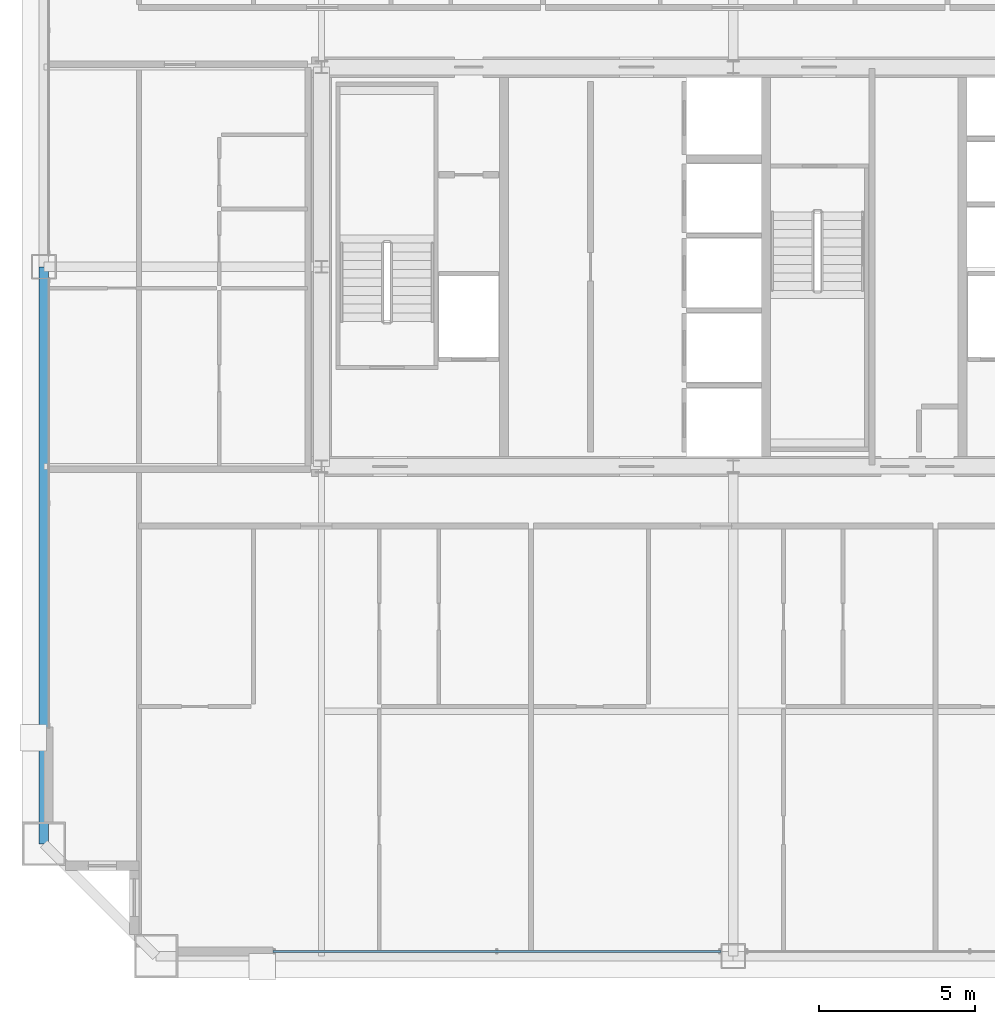
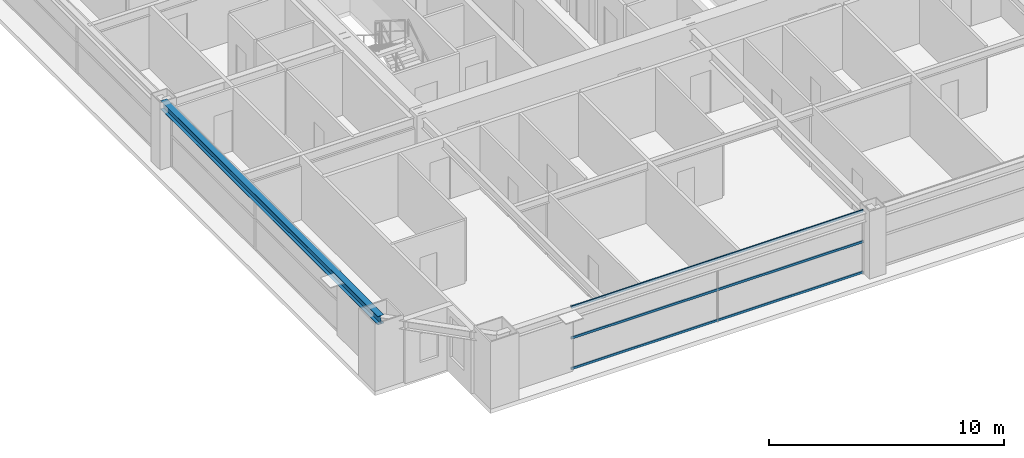
# One storey, part 7 of 38: 3 members, 1 beam, 1 element without a shape of its own.
"""IFC4 building model written with IfcOpenShell, lengths in metres."""

from ifc_helpers import new_model, si_unit, direction, frame, origin, origin_2d, place, context, subcontext, project, spatial, hollow_rectangle, i_section, extrude, source, transform, mapped, material, layer, layer_set, material_profile, profile_set, type_object, element, aggregate, save


model = new_model("IFC4")

# Units and contexts
model_context = context("Model", 3, precision=1e-05, world=origin(), true_north=direction((0.0, 1.0)))
body_context = subcontext(model_context, "Body", "Model", "MODEL_VIEW")
ifc_project = project(units=[si_unit("LENGTHUNIT", "METRE"), si_unit("AREAUNIT", "SQUARE_METRE"), si_unit("VOLUMEUNIT", "CUBIC_METRE"), si_unit("PLANEANGLEUNIT", "RADIAN"), si_unit("MASSUNIT", "GRAM", prefix="KILO"), si_unit("THERMODYNAMICTEMPERATUREUNIT", "KELVIN"), si_unit("POWERUNIT", "WATT")], contexts=[model_context])

# Site, building, storey
site_placement = place(None, origin())
site = spatial("IfcSite", under=ifc_project, at=site_placement, CompositionType="ELEMENT")
building_placement = place(site_placement, origin())
building = spatial("IfcBuilding", under=site, at=building_placement, Name="Yuzanri Waterfront Tower", CompositionType="ELEMENT")
storey_placement = place(building_placement, frame((0.0, 0.0, 202.0)))
storey = spatial("IfcBuildingStorey", under=building, at=storey_placement, Name="L53", CompositionType="ELEMENT", Elevation=202.0)

# Beam
ifc_material_1 = material(Name="Steel Q355B", Category="steel")
ifc_material_profile_1 = material_profile(ifc_material_1, i_section(OverallWidth=0.300048828125, OverallDepth=0.43994140625, WebThickness=0.010986328125, FlangeThickness=0.01806640625, at=origin_2d()), Name="HM 440x300x11x18")
ifc_profile_set_1 = profile_set([ifc_material_profile_1], Name="Steel Q355B")
beam_type = type_object("IfcBeamType", Name="Perimeter Spandrel Q355B HM 440x300", PredefinedType="SPANDREL", material=ifc_profile_set_1)
shared_shape_1 = source(origin(), body_context, "Body", "SweptSolid", [
    extrude(i_section(OverallWidth=0.300048828125, OverallDepth=0.43994140625, WebThickness=0.010986328125, FlangeThickness=0.01806640625, at=origin_2d()), origin(), (0.0, 0.0, 1.0), 18.5),
])
beam_placement = place(storey_placement, frame((14.89990234375, 25.800048828125, 3.06005859375), z_axis=(0.0, -1.0, 0.0), x_axis=(1.0, 0.0, 0.0)))
element("IfcBeam", 1, at=beam_placement, inside=storey, type_object=beam_type, Name="L53 Perimeter Spandrel W2-W1", PredefinedType="SPANDREL", context=body_context, shape_type="MappedRepresentation", body=[
    mapped(shared_shape_1, transform((0.0, 0.0, 0.0), scale=1.0)),
])

# Curtain wall, members
ifc_material_2 = material(Name="Anodized Architectural Bronze", Category="metal")
ifc_layer = layer(ifc_material_2, 0.159912109375)
ifc_layer_set = layer_set([ifc_layer], Name="Anodized Architectural Bronze")
curtain_wall_type = type_object("IfcCurtainWallType", Name="Anodized Bronze Mid-Rise Residential Acoustic Unitized Curtain Wall 7200", PredefinedType="NOTDEFINED", material=ifc_layer_set)
curtain_wall_placement = place(storey_placement, origin())
curtain_wall = element("IfcCurtainWall", 2, at=curtain_wall_placement, inside=storey, type_object=curtain_wall_type, Name="L53 Curtain Wall CW-L53-SL", PredefinedType="NOTDEFINED")
ifc_material_3 = material(Name="Anodized Architectural Bronze", Category="metal")
ifc_material_profile_2 = material_profile(ifc_material_3, hollow_rectangle(XDim=0.06494140625, YDim=0.1201171875, WallThickness=0.00341796875, at=origin_2d()), Name="CWT 65x120")
ifc_profile_set_2 = profile_set([ifc_material_profile_2], Name="Anodized Architectural Bronze")
member_type = type_object("IfcMemberType", Name="Anodized Bronze Secondary Curtain-Wall Transom 65x120", PredefinedType="USERDEFINED", material=ifc_profile_set_2)
shared_shape_2 = source(origin(), body_context, "Body", "SweptSolid", [
    extrude(hollow_rectangle(XDim=0.06494140625, YDim=0.1201171875, WallThickness=0.00341796875, at=origin_2d()), origin(), (0.0, 0.0, 1.0), 14.35009765625),
])
member_1_placement = place(storey_placement, frame((22.25, 3.85009765625, 0.050048828125), z_axis=(1.0, 0.0, 0.0), x_axis=(0.0, 1.0, 0.0)))
member_1 = element("IfcMember", 3, at=member_1_placement, type_object=member_type, Name="CW-L53-SL Transom 1", ObjectType="TRANSOM", PredefinedType="USERDEFINED", context=body_context, shape_type="MappedRepresentation", body=[
    mapped(shared_shape_2, transform((0.0, 0.0, 0.0), scale=1.0)),
])
member_2_placement = place(storey_placement, frame((22.25, 3.85009765625, 1.639892578125), z_axis=(1.0, 0.0, 0.0), x_axis=(0.0, 1.0, 0.0)))
member_2 = element("IfcMember", 4, at=member_2_placement, type_object=member_type, Name="CW-L53-SL Transom 2", ObjectType="TRANSOM", PredefinedType="USERDEFINED", context=body_context, shape_type="MappedRepresentation", body=[
    mapped(shared_shape_2, transform((0.0, 0.0, 0.0), scale=1.0)),
])
member_3_placement = place(storey_placement, frame((22.25, 3.85009765625, 3.22998046875), z_axis=(1.0, 0.0, 0.0), x_axis=(0.0, 1.0, 0.0)))
member_3 = element("IfcMember", 5, at=member_3_placement, type_object=member_type, Name="CW-L53-SL Transom 3", ObjectType="TRANSOM", PredefinedType="USERDEFINED", context=body_context, shape_type="MappedRepresentation", body=[
    mapped(shared_shape_2, transform((0.0, 0.0, 0.0), scale=1.0)),
])
aggregate(curtain_wall, [member_1, member_2, member_3])

save(model, "model.ifc")
